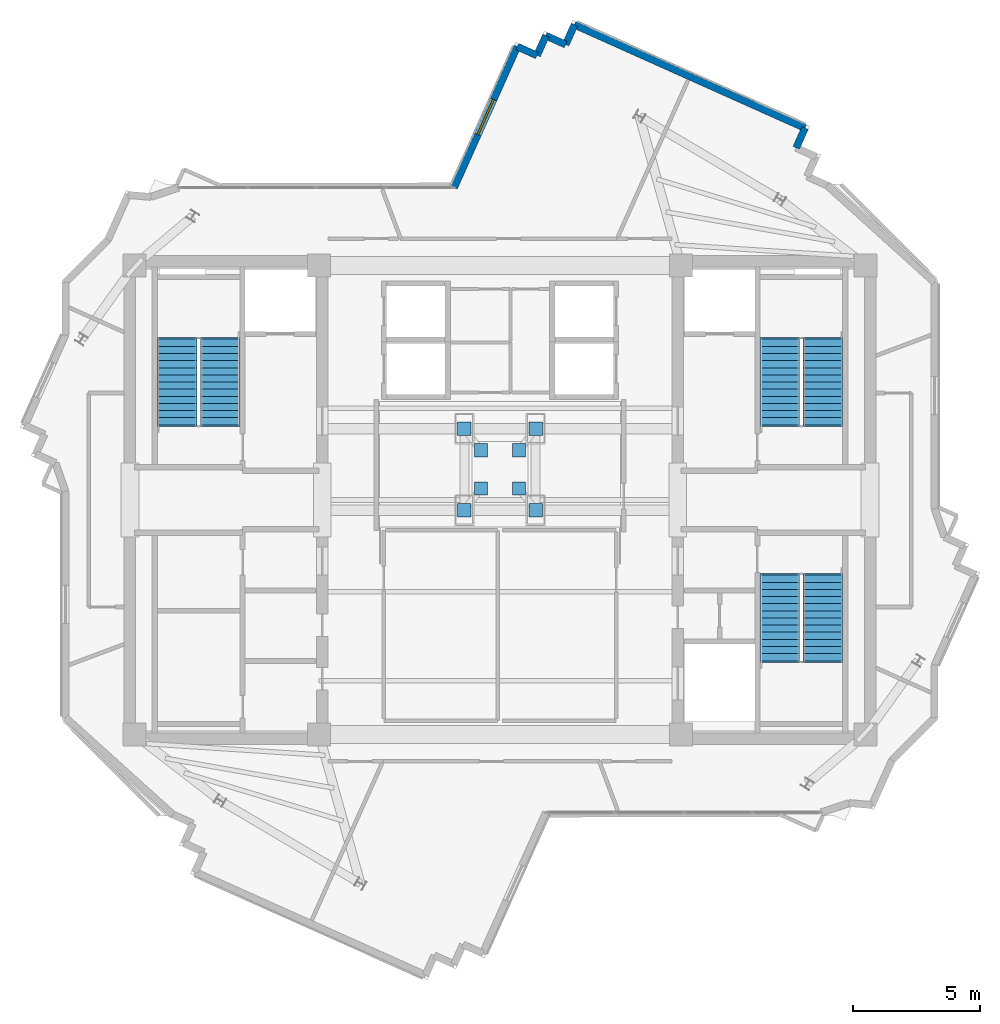
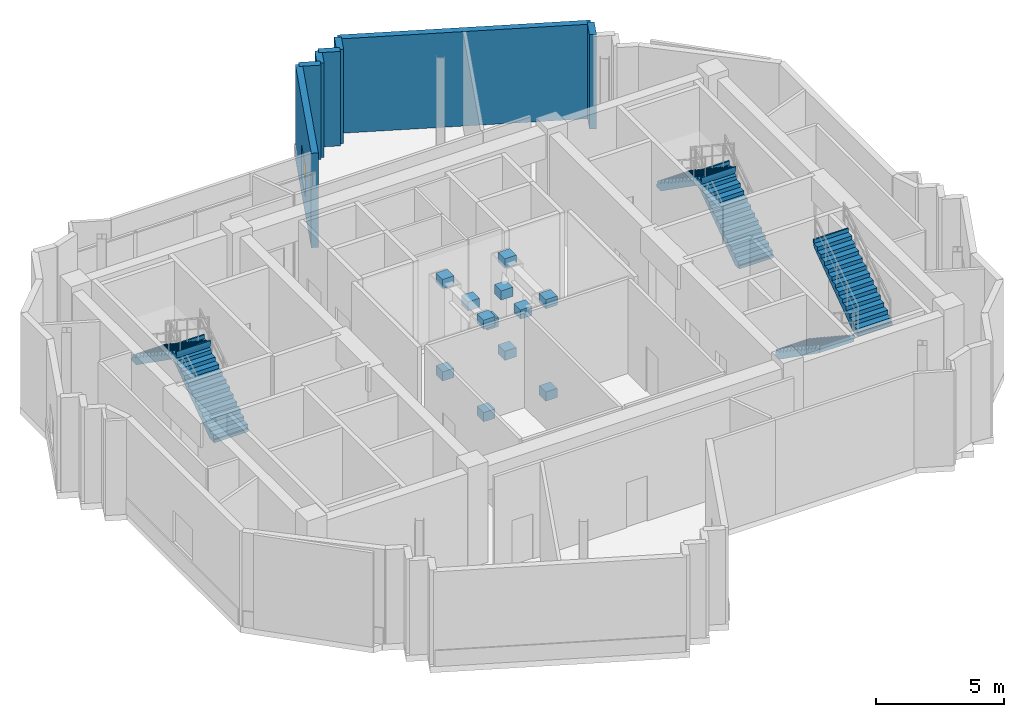
# One storey, part 9 of 11: 12 discrete accessories, 7 walls, 6 stair flights, 1 window, 1 opening, 3 elements without a shape of their own.
"""IFC4 building model written with IfcOpenShell, lengths in metres."""

from ifc_helpers import new_model, si_unit, direction, frame, frame_2d, origin, origin_2d, place, context, subcontext, project, spatial, polyline, rectangle, outline, extrude, source, transform, mapped, material, layer, layer_set, type_object, element, fill, aggregate, save


model = new_model("IFC4")

# Units and contexts
model_context = context("Model", 3, precision=1e-05, world=origin(), true_north=direction((0.0, 1.0)))
body_context = subcontext(model_context, "Body", "Model", "MODEL_VIEW")
ifc_project = project(units=[si_unit("LENGTHUNIT", "METRE"), si_unit("AREAUNIT", "SQUARE_METRE"), si_unit("VOLUMEUNIT", "CUBIC_METRE"), si_unit("PLANEANGLEUNIT", "RADIAN"), si_unit("MASSUNIT", "GRAM", prefix="KILO")], contexts=[model_context])

# Site, building, storey
site_placement = place(None, origin())
site = spatial("IfcSite", under=ifc_project, at=site_placement, CompositionType="ELEMENT")
building_placement = place(site_placement, origin())
building = spatial("IfcBuilding", under=site, at=building_placement, Name="Zahravan Cultural Tower", CompositionType="ELEMENT")
storey_placement = place(building_placement, frame((0.0, 0.0, 361.050048828125)))
storey = spatial("IfcBuildingStorey", under=building, at=storey_placement, Name="L88", CompositionType="ELEMENT", Elevation=361.050048828125)

# Wall, opening, window
ifc_material_1 = material(Name="Precast concrete C40/50", Category="concrete")
ifc_layer = layer(ifc_material_1, 0.280029296875)
ifc_layer_set = layer_set([ifc_layer], Name="Precast concrete C40/50")
wall_type = type_object("IfcWallType", Name="EW-TC-280", PredefinedType="SOLIDWALL", material=ifc_layer_set)
wall_1_placement = place(storey_placement, frame((34.19482421875, 39.260009765625, 0.0), z_axis=(0.0, 0.0, 1.0), x_axis=(0.408872261421, 0.912591624901, 0.0)))
wall_1 = element("IfcWall", 1, at=wall_1_placement, inside=storey, type_object=wall_type, Name="L88 Exterior Masonry Frame Wall 13", PredefinedType="SOLIDWALL", context=body_context, shape_type="SweptSolid", body=[
    extrude(rectangle(XDim=6.069580078125, YDim=0.280029296875, at=frame_2d((3.03466796875, 0.0))), origin(), (0.0, 0.0, 1.0), 4.5),
])
opening_placement = place(wall_1_placement, frame((2.284912109375, 0.0, 0.85009765625)))
opening = element("IfcOpeningElement", 2, at=opening_placement, cuts=wall_1, Name="Opening WN-03", PredefinedType="OPENING", context=body_context, shape_type="SweptSolid", body=[
    extrude(rectangle(XDim=1.5, YDim=1.5, at=frame_2d((0.75, 0.75))), frame((0.0, 0.14990234375, 0.0), z_axis=(0.0, -1.0, 0.0), x_axis=(1.0, 0.0, 0.0)), (0.0, 0.0, 1.0), 0.300048828125),
])
ifc_material_2 = material(Name="Low-E solar-control double glazing", Category="glass")
window_type = type_object("IfcWindowType", Name="WN-REC-1500X1500", PartitioningType="SINGLE_PANEL", PredefinedType="WINDOW", material=ifc_material_2)
shared_shape_1 = source(origin(), body_context, "Body", "SweptSolid", [
    extrude(rectangle(XDim=1.5, YDim=1.5, at=frame_2d((0.75, 0.75))), frame((0.0, 0.030029296875, 0.0), z_axis=(0.0, -1.0, 0.0), x_axis=(1.0, 0.0, 0.0)), (0.0, 0.0, 1.0), 0.06005859375),
])
window_placement = place(opening_placement, origin())
window = element("IfcWindow", 3, at=window_placement, inside=storey, type_object=window_type, Name="L88 Recessed Solar Window 03", OverallHeight=1.5, OverallWidth=1.5, PartitioningType="SINGLE_PANEL", PredefinedType="WINDOW", context=body_context, shape_type="MappedRepresentation", body=[
    mapped(shared_shape_1, transform((0.0, 0.0, 0.0), x_axis=(1.0, 0.0, 0.0), y_axis=(0.0, 1.0, 0.0), z_axis=(0.0, 0.0, 1.0), scale=1.0)),
])
fill(opening, window)

# Walls
shared_shape_2 = source(origin(), body_context, "Body", "SweptSolid", [
    extrude(rectangle(XDim=0.85009765625, YDim=0.280029296875, at=frame_2d((0.425048828125, 0.0))), origin(), (0.0, 0.0, 1.0), 4.5),
])
wall_2_placement = place(storey_placement, frame((37.4521484375, 44.45166015625, 0.0), z_axis=(0.0, 0.0, 1.0), x_axis=(0.409014667771, 0.912527808644, 0.0)))
element("IfcWall", 4, at=wall_2_placement, inside=storey, type_object=wall_type, Name="L88 Exterior Masonry Frame Wall 15", PredefinedType="SOLIDWALL", context=body_context, shape_type="MappedRepresentation", body=[
    mapped(shared_shape_2, transform((0.0, 0.0, 0.0), x_axis=(1.0, 0.0, 0.0), y_axis=(0.0, 1.0, 0.0), z_axis=(0.0, 0.0, 1.0), scale=1.0)),
])
shared_shape_3 = source(origin(), body_context, "Body", "SweptSolid", [
    extrude(rectangle(XDim=0.849853515625, YDim=0.280029296875, at=frame_2d((0.4248046875, 0.0))), origin(), (0.0, 0.0, 1.0), 4.5),
])
for number, where, z_axis, x_axis, name in (
    (5, (36.676513671875, 44.799072265625, 0.0), (0.0, 0.0, 1.0), (0.912634994598, -0.408775447691, 0.0), "L88 Exterior Masonry Frame Wall 14"),
    (6, (37.7998046875, 45.227294921875, 0.0), (0.0, 0.0, 1.0), (0.912634994598, -0.408775447691, 0.0), "L88 Exterior Masonry Frame Wall 16"),
    (7, (38.575439453125, 44.8798828125, 0.0), (0.0, 0.0, 1.0), (0.408775447691, 0.912634994598, 0.0), "L88 Exterior Masonry Frame Wall 17"),
    (8, (47.975830078125, 41.599609375, 0.0), (0.0, 0.0, 1.0), (-0.408775447691, -0.912634994598, 0.0), "L88 Exterior Masonry Frame Wall 19"),
):
    element("IfcWall", number, at=place(storey_placement, frame(where, z_axis=z_axis, x_axis=x_axis)), inside=storey, type_object=wall_type, Name=name, PredefinedType="SOLIDWALL", context=body_context, shape_type="MappedRepresentation", body=[
        mapped(shared_shape_3, transform((0.0, 0.0, 0.0), x_axis=(1.0, 0.0, 0.0), y_axis=(0.0, 1.0, 0.0), z_axis=(0.0, 0.0, 1.0), scale=1.0)),
    ])
shared_shape_4 = source(origin(), body_context, "Body", "SweptSolid", [
    extrude(rectangle(XDim=9.919921875, YDim=0.280029296875, at=frame_2d((4.9599609375, 0.0))), origin(), (0.0, 0.0, 1.0), 4.5),
])
wall_3_placement = place(storey_placement, frame((38.9228515625, 45.655517578125, 0.0), z_axis=(0.0, 0.0, 1.0), x_axis=(0.91259673328, -0.408860859469, 0.0)))
element("IfcWall", 9, at=wall_3_placement, inside=storey, type_object=wall_type, Name="L88 Exterior Masonry Frame Wall 18", PredefinedType="SOLIDWALL", context=body_context, shape_type="MappedRepresentation", body=[
    mapped(shared_shape_4, transform((0.0, 0.0, 0.0), x_axis=(1.0, 0.0, 0.0), y_axis=(0.0, 1.0, 0.0), z_axis=(0.0, 0.0, 1.0), scale=1.0)),
])

# Stair, stair flights
ifc_material_3 = material(Name="Concrete C45/55", Category="concrete")
stair_type = type_object("IfcStairType", Name="STR-DL-1550-480", PredefinedType="HALF_TURN_STAIR", material=ifc_material_3)
stair_1_placement = place(storey_placement, origin())
stair_1 = element("IfcStair", 10, at=stair_1_placement, inside=storey, type_object=stair_type, Name="L88 West Core North Exit Stair ST-W1", PredefinedType="HALF_TURN_STAIR")
stair_flight_type = type_object("IfcStairFlightType", Name="FLG-DL-1550-480", PredefinedType="STRAIGHT", material=ifc_material_3)
stair_flight_1_placement = place(storey_placement, frame((25.02490234375, 29.949951171875, 0.0), z_axis=(0.0, 0.0, 1.0), x_axis=(0.0, 1.0, 0.0)))
stair_flight_1 = element("IfcStairFlight", 11, at=stair_flight_1_placement, type_object=stair_flight_type, Name="ST-W1 flight 1", NumberOfRisers=13, NumberOfTreads=12, PredefinedType="STRAIGHT", RiserHeight=0.184615385, TreadLength=0.28, context=body_context, shape_type="SweptSolid", body=[
    extrude(outline(polyline([(-0.06494140625, -0.139892578125), (-0.06494140625, 0.0), (0.0, 0.0), (0.0, 0.1845703125), (0.280029296875, 0.1845703125), (0.280029296875, 0.369140625), (0.56005859375, 0.369140625), (0.56005859375, 0.553955078125), (0.840087890625, 0.553955078125), (0.840087890625, 0.738525390625), (1.1201171875, 0.738525390625), (1.1201171875, 0.923095703125), (1.39990234375, 0.923095703125), (1.39990234375, 1.107666015625), (1.679931640625, 1.107666015625), (1.679931640625, 1.292236328125), (1.9599609375, 1.292236328125), (1.9599609375, 1.476806640625), (2.239990234375, 1.476806640625), (2.239990234375, 1.66162109375), (2.52001953125, 1.66162109375), (2.52001953125, 1.84619140625), (2.800048828125, 1.84619140625), (2.800048828125, 2.03076171875), (3.080078125, 2.03076171875), (3.080078125, 2.21533203125), (3.360107421875, 2.21533203125), (3.360107421875, 2.39990234375), (3.425048828125, 2.39990234375), (3.425048828125, 2.25), (3.360107421875, 2.035888671875), (0.272216796875, -0.139892578125), (-0.06494140625, -0.139892578125)])), frame((0.0, 0.77490234375, 0.0), z_axis=(0.0, -1.0, 0.0), x_axis=(1.0, 0.0, 0.0)), (0.0, 0.0, 1.0), 1.550048828125),
])
stair_flight_2_placement = place(storey_placement, frame((23.324951171875, 33.31005859375, 2.39990234375), z_axis=(0.0, 0.0, 1.0), x_axis=(0.0, -1.0, 0.0)))
stair_flight_2 = element("IfcStairFlight", 12, at=stair_flight_2_placement, type_object=stair_flight_type, Name="ST-W1 flight 2", NumberOfRisers=13, NumberOfTreads=12, PredefinedType="STRAIGHT", RiserHeight=0.184615385, TreadLength=0.28, context=body_context, shape_type="SweptSolid", body=[
    extrude(outline(polyline([(-0.06494140625, -0.139892578125), (-0.06494140625, 0.0), (0.0, 0.0), (0.0, 0.1845703125), (0.280029296875, 0.1845703125), (0.280029296875, 0.369140625), (0.56005859375, 0.369140625), (0.56005859375, 0.553955078125), (0.840087890625, 0.553955078125), (0.840087890625, 0.738525390625), (1.1201171875, 0.738525390625), (1.1201171875, 0.923095703125), (1.39990234375, 0.923095703125), (1.39990234375, 1.107666015625), (1.679931640625, 1.107666015625), (1.679931640625, 1.292236328125), (1.9599609375, 1.292236328125), (1.9599609375, 1.476806640625), (2.239990234375, 1.476806640625), (2.239990234375, 1.66162109375), (2.52001953125, 1.66162109375), (2.52001953125, 1.84619140625), (2.800048828125, 1.84619140625), (2.800048828125, 2.03076171875), (3.080078125, 2.03076171875), (3.080078125, 2.21533203125), (3.360107421875, 2.21533203125), (3.360107421875, 2.39990234375), (3.425048828125, 2.39990234375), (3.425048828125, 2.25), (3.360107421875, 2.035888671875), (0.272216796875, -0.139892578125), (-0.06494140625, -0.139892578125)])), frame((0.0, 0.77490234375, 0.0), z_axis=(0.0, -1.0, 0.0), x_axis=(1.0, 0.0, 0.0)), (0.0, 0.0, 1.0), 1.550048828125),
])
aggregate(stair_1, [stair_flight_1, stair_flight_2])

stair_2_placement = place(storey_placement, origin())
stair_2 = element("IfcStair", 13, at=stair_2_placement, inside=storey, type_object=stair_type, Name="L88 East Core North Exit Stair ST-E1", PredefinedType="HALF_TURN_STAIR")
stair_flight_3_placement = place(storey_placement, frame((48.675048828125, 29.949951171875, 0.0), z_axis=(0.0, 0.0, 1.0), x_axis=(0.0, 1.0, 0.0)))
stair_flight_3 = element("IfcStairFlight", 14, at=stair_flight_3_placement, type_object=stair_flight_type, Name="ST-E1 flight 1", NumberOfRisers=13, NumberOfTreads=12, PredefinedType="STRAIGHT", RiserHeight=0.184615385, TreadLength=0.28, context=body_context, shape_type="SweptSolid", body=[
    extrude(outline(polyline([(-0.06494140625, -0.139892578125), (-0.06494140625, 0.0), (0.0, 0.0), (0.0, 0.1845703125), (0.280029296875, 0.1845703125), (0.280029296875, 0.369140625), (0.56005859375, 0.369140625), (0.56005859375, 0.553955078125), (0.840087890625, 0.553955078125), (0.840087890625, 0.738525390625), (1.1201171875, 0.738525390625), (1.1201171875, 0.923095703125), (1.39990234375, 0.923095703125), (1.39990234375, 1.107666015625), (1.679931640625, 1.107666015625), (1.679931640625, 1.292236328125), (1.9599609375, 1.292236328125), (1.9599609375, 1.476806640625), (2.239990234375, 1.476806640625), (2.239990234375, 1.66162109375), (2.52001953125, 1.66162109375), (2.52001953125, 1.84619140625), (2.800048828125, 1.84619140625), (2.800048828125, 2.03076171875), (3.080078125, 2.03076171875), (3.080078125, 2.21533203125), (3.360107421875, 2.21533203125), (3.360107421875, 2.39990234375), (3.425048828125, 2.39990234375), (3.425048828125, 2.25), (3.360107421875, 2.035888671875), (0.272216796875, -0.139892578125), (-0.06494140625, -0.139892578125)])), frame((0.0, 0.77490234375, 0.0), z_axis=(0.0, -1.0, 0.0), x_axis=(1.0, 0.0, 0.0)), (0.0, 0.0, 1.0), 1.550048828125),
])
stair_flight_4_placement = place(storey_placement, frame((46.97509765625, 33.31005859375, 2.39990234375), z_axis=(0.0, 0.0, 1.0), x_axis=(0.0, -1.0, 0.0)))
stair_flight_4 = element("IfcStairFlight", 15, at=stair_flight_4_placement, type_object=stair_flight_type, Name="ST-E1 flight 2", NumberOfRisers=13, NumberOfTreads=12, PredefinedType="STRAIGHT", RiserHeight=0.184615385, TreadLength=0.28, context=body_context, shape_type="SweptSolid", body=[
    extrude(outline(polyline([(-0.06494140625, -0.139892578125), (-0.06494140625, 0.0), (0.0, 0.0), (0.0, 0.1845703125), (0.280029296875, 0.1845703125), (0.280029296875, 0.369140625), (0.56005859375, 0.369140625), (0.56005859375, 0.553955078125), (0.840087890625, 0.553955078125), (0.840087890625, 0.738525390625), (1.1201171875, 0.738525390625), (1.1201171875, 0.923095703125), (1.39990234375, 0.923095703125), (1.39990234375, 1.107666015625), (1.679931640625, 1.107666015625), (1.679931640625, 1.292236328125), (1.9599609375, 1.292236328125), (1.9599609375, 1.476806640625), (2.239990234375, 1.476806640625), (2.239990234375, 1.66162109375), (2.52001953125, 1.66162109375), (2.52001953125, 1.84619140625), (2.800048828125, 1.84619140625), (2.800048828125, 2.03076171875), (3.080078125, 2.03076171875), (3.080078125, 2.21533203125), (3.360107421875, 2.21533203125), (3.360107421875, 2.39990234375), (3.425048828125, 2.39990234375), (3.425048828125, 2.25), (3.360107421875, 2.035888671875), (0.272216796875, -0.139892578125), (-0.06494140625, -0.139892578125)])), frame((0.0, 0.77490234375, 0.0), z_axis=(0.0, -1.0, 0.0), x_axis=(1.0, 0.0, 0.0)), (0.0, 0.0, 1.0), 1.550048828125),
])
aggregate(stair_2, [stair_flight_3, stair_flight_4])

stair_3_placement = place(storey_placement, origin())
stair_3 = element("IfcStair", 16, at=stair_3_placement, inside=storey, type_object=stair_type, Name="L88 East Core South Exit Stair ST-E2", PredefinedType="HALF_TURN_STAIR")
stair_flight_5_placement = place(storey_placement, frame((46.97509765625, 24.050048828125, 0.0), z_axis=(0.0, 0.0, 1.0), x_axis=(0.0, -1.0, 0.0)))
stair_flight_5 = element("IfcStairFlight", 17, at=stair_flight_5_placement, type_object=stair_flight_type, Name="ST-E2 flight 1", NumberOfRisers=13, NumberOfTreads=12, PredefinedType="STRAIGHT", RiserHeight=0.184615385, TreadLength=0.28, context=body_context, shape_type="SweptSolid", body=[
    extrude(outline(polyline([(-0.06494140625, -0.139892578125), (-0.06494140625, 0.0), (0.0, 0.0), (0.0, 0.1845703125), (0.280029296875, 0.1845703125), (0.280029296875, 0.369140625), (0.56005859375, 0.369140625), (0.56005859375, 0.553955078125), (0.840087890625, 0.553955078125), (0.840087890625, 0.738525390625), (1.1201171875, 0.738525390625), (1.1201171875, 0.923095703125), (1.39990234375, 0.923095703125), (1.39990234375, 1.107666015625), (1.679931640625, 1.107666015625), (1.679931640625, 1.292236328125), (1.9599609375, 1.292236328125), (1.9599609375, 1.476806640625), (2.239990234375, 1.476806640625), (2.239990234375, 1.66162109375), (2.52001953125, 1.66162109375), (2.52001953125, 1.84619140625), (2.800048828125, 1.84619140625), (2.800048828125, 2.03076171875), (3.080078125, 2.03076171875), (3.080078125, 2.21533203125), (3.360107421875, 2.21533203125), (3.360107421875, 2.39990234375), (3.425048828125, 2.39990234375), (3.425048828125, 2.25), (3.360107421875, 2.035888671875), (0.272216796875, -0.139892578125), (-0.06494140625, -0.139892578125)])), frame((0.0, 0.77490234375, 0.0), z_axis=(0.0, -1.0, 0.0), x_axis=(1.0, 0.0, 0.0)), (0.0, 0.0, 1.0), 1.550048828125),
])
stair_flight_6_placement = place(storey_placement, frame((48.675048828125, 20.68994140625, 2.39990234375), z_axis=(0.0, 0.0, 1.0), x_axis=(0.0, 1.0, 0.0)))
stair_flight_6 = element("IfcStairFlight", 18, at=stair_flight_6_placement, type_object=stair_flight_type, Name="ST-E2 flight 2", NumberOfRisers=13, NumberOfTreads=12, PredefinedType="STRAIGHT", RiserHeight=0.184615385, TreadLength=0.28, context=body_context, shape_type="SweptSolid", body=[
    extrude(outline(polyline([(-0.06494140625, -0.139892578125), (-0.06494140625, 0.0), (0.0, 0.0), (0.0, 0.1845703125), (0.280029296875, 0.1845703125), (0.280029296875, 0.369140625), (0.56005859375, 0.369140625), (0.56005859375, 0.553955078125), (0.840087890625, 0.553955078125), (0.840087890625, 0.738525390625), (1.1201171875, 0.738525390625), (1.1201171875, 0.923095703125), (1.39990234375, 0.923095703125), (1.39990234375, 1.107666015625), (1.679931640625, 1.107666015625), (1.679931640625, 1.292236328125), (1.9599609375, 1.292236328125), (1.9599609375, 1.476806640625), (2.239990234375, 1.476806640625), (2.239990234375, 1.66162109375), (2.52001953125, 1.66162109375), (2.52001953125, 1.84619140625), (2.800048828125, 1.84619140625), (2.800048828125, 2.03076171875), (3.080078125, 2.03076171875), (3.080078125, 2.21533203125), (3.360107421875, 2.21533203125), (3.360107421875, 2.39990234375), (3.425048828125, 2.39990234375), (3.425048828125, 2.25), (3.360107421875, 2.035888671875), (0.272216796875, -0.139892578125), (-0.06494140625, -0.139892578125)])), frame((0.0, 0.77490234375, 0.0), z_axis=(0.0, -1.0, 0.0), x_axis=(1.0, 0.0, 0.0)), (0.0, 0.0, 1.0), 1.550048828125),
])
aggregate(stair_3, [stair_flight_5, stair_flight_6])

# Discrete accessories
ifc_material_4 = material(Name="Steel ASTM A572 Grade 50", Category="steel")
discrete_accessory_type = type_object("IfcDiscreteAccessoryType", Name="ACC-BRACE-GUSSET", PredefinedType="BRACKET", material=ifc_material_4)
shared_shape_5 = source(origin(), body_context, "Body", "SweptSolid", [
    extrude(rectangle(XDim=0.52001953125, YDim=0.52001953125, at=origin_2d()), origin(), (0.0, 0.0, 1.0), 0.43994140625),
])
for number, where, z_axis, x_axis, name in (
    (19, (34.60009765625, 26.60009765625, -0.52001953125), (0.0, 0.0, 1.0), (1.0, 0.0, 0.0), "L88 Brace End Gusset Connection 068"),
    (20, (34.60009765625, 26.60009765625, 3.8798828125), (0.0, 0.0, 1.0), (1.0, 0.0, 0.0), "L88 Brace End Gusset Connection 069"),
    (21, (37.39990234375, 26.60009765625, -0.52001953125), (0.0, 0.0, 1.0), (1.0, 0.0, 0.0), "L88 Brace End Gusset Connection 070"),
    (22, (37.39990234375, 26.60009765625, 3.8798828125), (0.0, 0.0, 1.0), (1.0, 0.0, 0.0), "L88 Brace End Gusset Connection 071"),
    (23, (37.39990234375, 29.800048828125, -0.52001953125), (0.0, 0.0, 1.0), (1.0, 0.0, 0.0), "L88 Brace End Gusset Connection 072"),
    (24, (37.39990234375, 29.800048828125, 3.8798828125), (0.0, 0.0, 1.0), (1.0, 0.0, 0.0), "L88 Brace End Gusset Connection 073"),
    (25, (34.60009765625, 29.800048828125, -0.52001953125), (0.0, 0.0, 1.0), (1.0, 0.0, 0.0), "L88 Brace End Gusset Connection 074"),
    (26, (34.60009765625, 29.800048828125, 3.8798828125), (0.0, 0.0, 1.0), (1.0, 0.0, 0.0), "L88 Brace End Gusset Connection 075"),
    (27, (35.25, 27.449951171875, 3.10009765625), (0.0, 0.0, 1.0), (1.0, 0.0, 0.0), "L88 Brace End Gusset Connection 076"),
    (28, (36.75, 27.449951171875, 3.10009765625), (0.0, 0.0, 1.0), (1.0, 0.0, 0.0), "L88 Brace End Gusset Connection 077"),
    (29, (36.75, 28.949951171875, 3.10009765625), (0.0, 0.0, 1.0), (1.0, 0.0, 0.0), "L88 Brace End Gusset Connection 078"),
    (30, (35.25, 28.949951171875, 3.10009765625), (0.0, 0.0, 1.0), (1.0, 0.0, 0.0), "L88 Brace End Gusset Connection 079"),
):
    element("IfcDiscreteAccessory", number, at=place(storey_placement, frame(where, z_axis=z_axis, x_axis=x_axis)), inside=storey, type_object=discrete_accessory_type, Name=name, PredefinedType="BRACKET", context=body_context, shape_type="MappedRepresentation", body=[
        mapped(shared_shape_5, transform((0.0, 0.0, 0.0), x_axis=(1.0, 0.0, 0.0), y_axis=(0.0, 1.0, 0.0), z_axis=(0.0, 0.0, 1.0), scale=1.0)),
    ])

save(model, "model.ifc")
